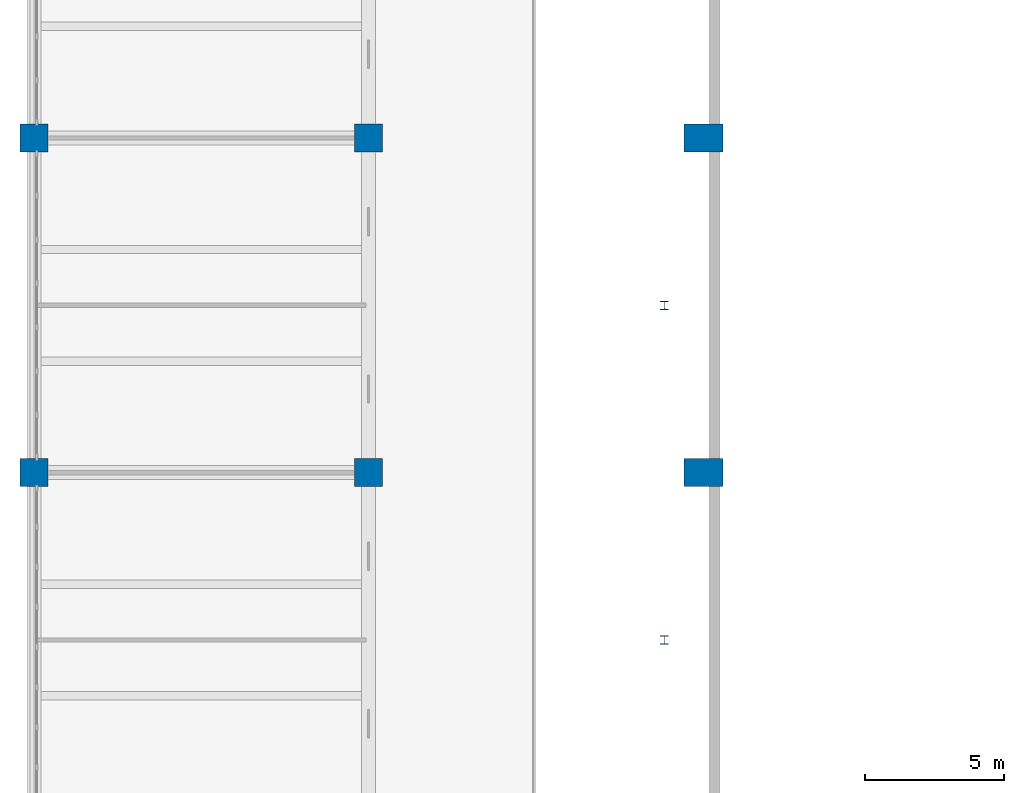
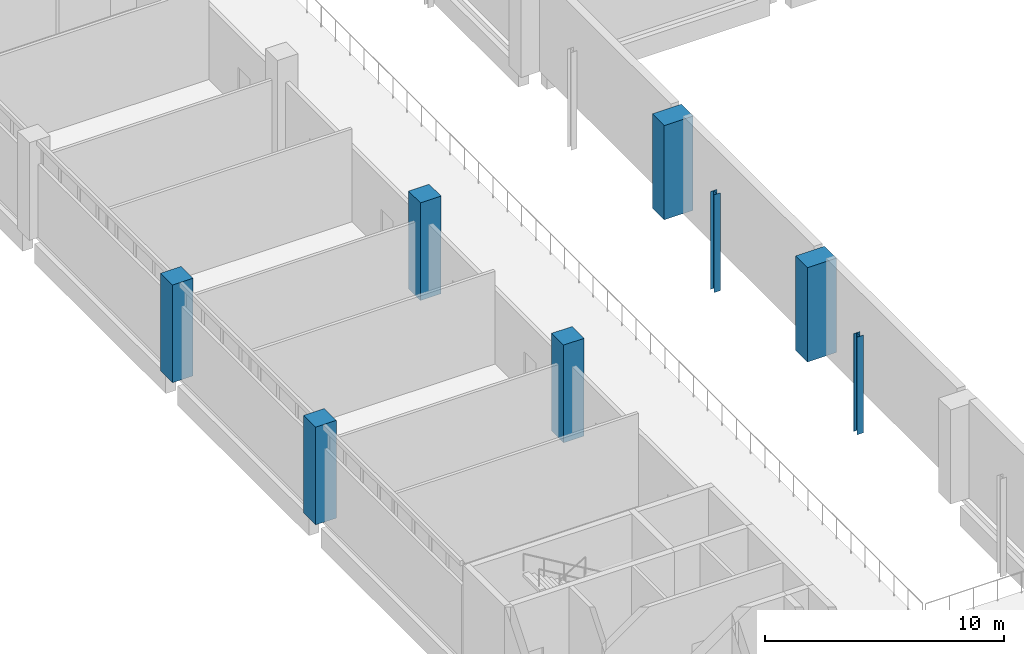
# One storey, part 8 of 69: 8 columns.
"""IFC4 building model written with IfcOpenShell, lengths in metres."""

from ifc_helpers import new_model, si_unit, direction, frame, origin, origin_2d, place, context, subcontext, project, spatial, rectangle, i_section, extrude, material, material_profile, profile_set, type_object, element, save


model = new_model("IFC4")

# Units and contexts
model_context = context("Model", 3, precision=1e-05, world=origin(), true_north=direction((0.0, 1.0)))
body_context = subcontext(model_context, "Body", "Model", "MODEL_VIEW")
ifc_project = project(units=[si_unit("LENGTHUNIT", "METRE"), si_unit("AREAUNIT", "SQUARE_METRE"), si_unit("VOLUMEUNIT", "CUBIC_METRE"), si_unit("PLANEANGLEUNIT", "RADIAN"), si_unit("MASSUNIT", "GRAM", prefix="KILO")], contexts=[model_context])

# Site, building, storey
site_placement = place(None, origin())
site = spatial("IfcSite", under=ifc_project, at=site_placement, CompositionType="ELEMENT")
building_placement = place(site_placement, origin())
building = spatial("IfcBuilding", under=site, at=building_placement, Name="Lilac Gate Convention Centre", CompositionType="ELEMENT")
storey_placement = place(building_placement, frame((0.0, 0.0, 12.0)))
storey = spatial("IfcBuildingStorey", under=building, at=storey_placement, Name="L02", CompositionType="ELEMENT", Elevation=12.0)

# Columns
ifc_material_1 = material(Name="Concrete C40", Category="concrete")
ifc_material_profile_1 = material_profile(ifc_material_1, rectangle(XDim=1.0, YDim=1.0, at=origin_2d()), Name="RC 1000x1000")
ifc_profile_set_1 = profile_set([ifc_material_profile_1], Name="Concrete C40")
column_type_1 = type_object("IfcColumnType", Name="RC column 1000x1000 C40", PredefinedType="COLUMN", material=ifc_profile_set_1)
for number, where, z_axis, x_axis, name in (
    (1, (6.0, 174.0, 0.0), (0.0, 0.0, 1.0), (1.0, 0.0, 0.0), "C1 L02 at 1/N"),
    (2, (6.0, 186.0, 0.0), (0.0, 0.0, 1.0), (1.0, 0.0, 0.0), "C1 L02 at 1/P"),
    (3, (18.0, 174.0, 0.0), (0.0, 0.0, 1.0), (1.0, 0.0, 0.0), "C1 L02 at 2/N"),
    (4, (18.0, 186.0, 0.0), (0.0, 0.0, 1.0), (1.0, 0.0, 0.0), "C1 L02 at 2/P"),
):
    element("IfcColumn", number, at=place(storey_placement, frame(where, z_axis=z_axis, x_axis=x_axis)), inside=storey, type_object=column_type_1, Name=name, PredefinedType="COLUMN", context=body_context, shape_type="SweptSolid", body=[
        extrude(rectangle(XDim=1.0, YDim=1.0, at=origin_2d()), origin(), (0.0, 0.0, 1.0), 5.0),
    ])
ifc_material_profile_2 = material_profile(ifc_material_1, rectangle(XDim=1.39990234375, YDim=1.0, at=origin_2d()), Name="RC 1400x1000")
ifc_profile_set_2 = profile_set([ifc_material_profile_2], Name="Concrete C40")
column_type_2 = type_object("IfcColumnType", Name="RC hall column 1400x1000 C40", PredefinedType="COLUMN", material=ifc_profile_set_2)
for number, where, z_axis, x_axis, name in (
    (5, (30.0, 174.0, 0.0), (0.0, 0.0, 1.0), (1.0, 0.0, 0.0), "C2 L02 at 3/N"),
    (6, (30.0, 186.0, 0.0), (0.0, 0.0, 1.0), (1.0, 0.0, 0.0), "C2 L02 at 3/P"),
):
    element("IfcColumn", number, at=place(storey_placement, frame(where, z_axis=z_axis, x_axis=x_axis)), inside=storey, type_object=column_type_2, Name=name, PredefinedType="COLUMN", context=body_context, shape_type="SweptSolid", body=[
        extrude(rectangle(XDim=1.39990234375, YDim=1.0, at=origin_2d()), origin(), (0.0, 0.0, 1.0), 4.824951171875),
    ])
ifc_material_2 = material(Name="Steel Q355B", Category="steel")
ifc_material_profile_3 = material_profile(ifc_material_2, i_section(OverallWidth=0.300048828125, OverallDepth=0.300048828125, WebThickness=0.010009765625, FlangeThickness=0.014892578125, FilletRadius=0.012939453125, at=origin_2d()), Name="HW300x300x10x15")
ifc_profile_set_3 = profile_set([ifc_material_profile_3], Name="Steel Q355B")
column_type_3 = type_object("IfcColumnType", Name="Steel column HW300x300x10x15", PredefinedType="COLUMN", material=ifc_profile_set_3)
for number, where, z_axis, x_axis, name in (
    (7, (28.60009765625, 168.0, 0.0), (0.0, 0.0, 1.0), (1.0, 0.0, 0.0), "SC1 L02 atrium column at 168"),
    (8, (28.60009765625, 180.0, 0.0), (0.0, 0.0, 1.0), (1.0, 0.0, 0.0), "SC1 L02 atrium column at 180"),
):
    element("IfcColumn", number, at=place(storey_placement, frame(where, z_axis=z_axis, x_axis=x_axis)), inside=storey, type_object=column_type_3, Name=name, PredefinedType="COLUMN", context=body_context, shape_type="SweptSolid", body=[
        extrude(i_section(OverallWidth=0.300048828125, OverallDepth=0.300048828125, WebThickness=0.010009765625, FlangeThickness=0.014892578125, FilletRadius=0.012939453125, at=origin_2d()), origin(), (0.0, 0.0, 1.0), 5.0),
    ])

save(model, "model.ifc")
